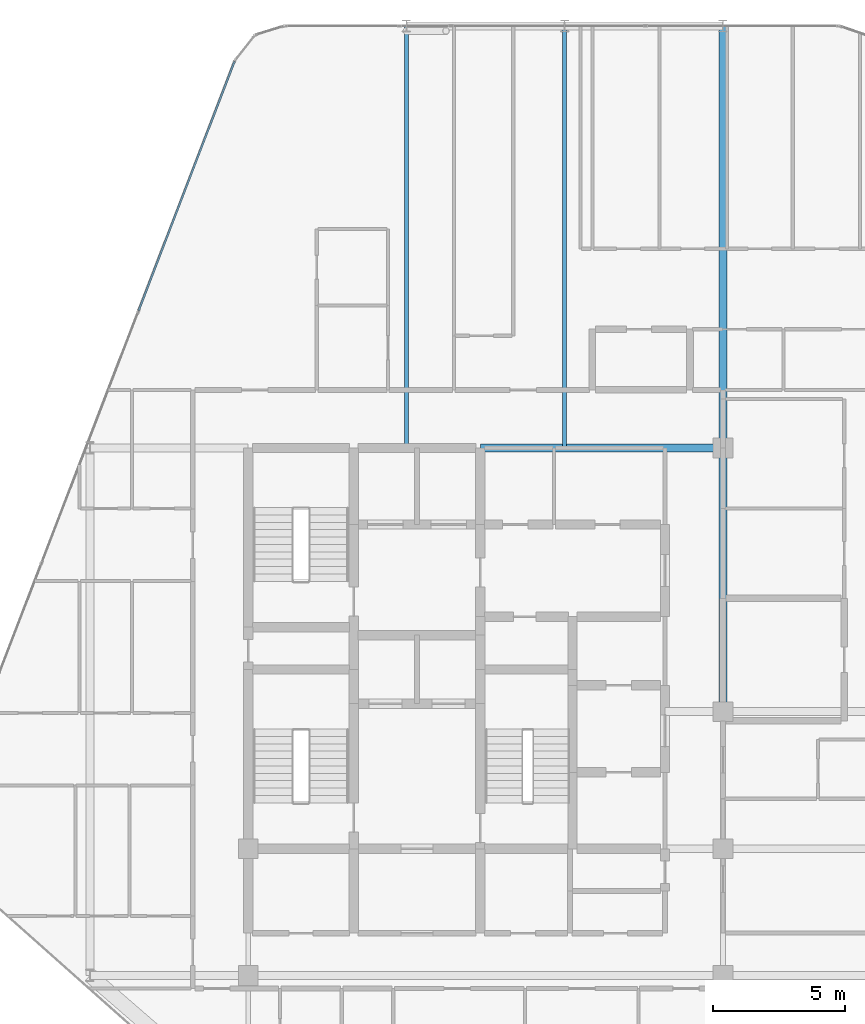
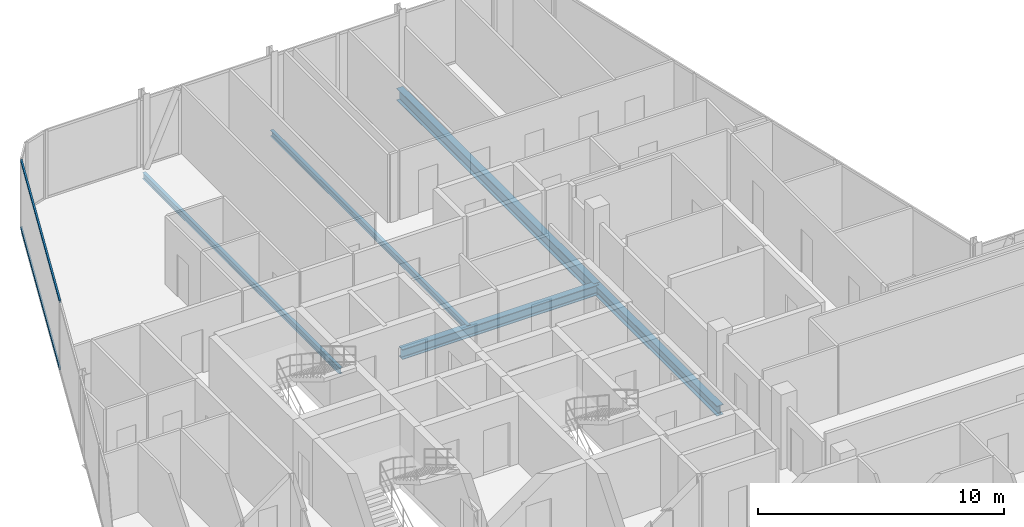
# One storey, part 17 of 29: 5 beams, 2 members, 1 element without a shape of its own.
"""IFC4 building model written with IfcOpenShell, lengths in metres."""

from ifc_helpers import new_model, si_unit, direction, frame, origin, origin_2d, place, context, subcontext, project, spatial, hollow_rectangle, i_section, extrude, material, layer, layer_set, material_profile, profile_set, type_object, element, aggregate, save


model = new_model("IFC4")

# Units and contexts
model_context = context("Model", 3, precision=1e-05, world=origin(), true_north=direction((0.0, 1.0)))
body_context = subcontext(model_context, "Body", "Model", "MODEL_VIEW")
ifc_project = project(units=[si_unit("LENGTHUNIT", "METRE"), si_unit("AREAUNIT", "SQUARE_METRE"), si_unit("VOLUMEUNIT", "CUBIC_METRE"), si_unit("PLANEANGLEUNIT", "RADIAN"), si_unit("MASSUNIT", "GRAM", prefix="KILO")], contexts=[model_context])

# Site, building, storey
site_placement = place(None, origin())
site = spatial("IfcSite", under=ifc_project, at=site_placement, CompositionType="ELEMENT")
building_placement = place(site_placement, origin())
building = spatial("IfcBuilding", under=site, at=building_placement, Name="Keshet Zoharim Tower", CompositionType="ELEMENT")
storey_placement = place(building_placement, frame((0.0, 0.0, 230.199951171875)))
storey = spatial("IfcBuildingStorey", under=building, at=storey_placement, Name="L57", CompositionType="ELEMENT", Elevation=230.199951171875)

# Beams
ifc_material_1 = material(Name="Steel S355", Category="steel")
ifc_material_profile_1 = material_profile(ifc_material_1, i_section(OverallWidth=0.14990234375, OverallDepth=0.300048828125, WebThickness=0.007080078125, FlangeThickness=0.0107421875, FilletRadius=0.014892578125, at=origin_2d()), Name="IPE300")
ifc_profile_set_1 = profile_set([ifc_material_profile_1], Name="Steel S355")
beam_type_1 = type_object("IfcBeamType", Name="BM-JST-IP300", PredefinedType="JOIST", material=ifc_profile_set_1)
for number, where, z_axis, x_axis, name in (
    (1, (21.0, 37.89990234375, -0.4599609375), (0.0, 1.0, 0.0), (-1.0, 0.0, 0.0), "L57 Secondary Floor Joist J-001"),
    (2, (27.0, 37.89990234375, -0.4599609375), (0.0, 1.0, 0.0), (-1.0, 0.0, 0.0), "L57 Secondary Floor Joist J-002"),
):
    element("IfcBeam", number, at=place(storey_placement, frame(where, z_axis=z_axis, x_axis=x_axis)), inside=storey, type_object=beam_type_1, Name=name, PredefinedType="JOIST", context=body_context, shape_type="SweptSolid", body=[
        extrude(i_section(OverallWidth=0.14990234375, OverallDepth=0.300048828125, WebThickness=0.007080078125, FlangeThickness=0.0107421875, FilletRadius=0.014892578125, at=origin_2d()), origin(), (0.0, 0.0, 1.0), 16.0),
    ])
ifc_material_profile_2 = material_profile(ifc_material_1, i_section(OverallWidth=0.300048828125, OverallDepth=0.60009765625, WebThickness=0.015380859375, FlangeThickness=0.030029296875, FilletRadius=0.027099609375, at=origin_2d()), Name="HEB600")
ifc_profile_set_2 = profile_set([ifc_material_profile_2], Name="Steel S355")
beam_type_2 = type_object("IfcBeamType", Name="BM-LNG-HB600", PredefinedType="BEAM", material=ifc_profile_set_2)
beam_1_placement = place(storey_placement, frame((33.0, 37.89990234375, -0.60986328125), z_axis=(0.0, 1.0, 0.0), x_axis=(-1.0, 0.0, 0.0)))
element("IfcBeam", 3, at=beam_1_placement, inside=storey, type_object=beam_type_2, Name="L57 Primary Girder Y-011", PredefinedType="BEAM", context=body_context, shape_type="SweptSolid", body=[
    extrude(i_section(OverallWidth=0.300048828125, OverallDepth=0.60009765625, WebThickness=0.015380859375, FlangeThickness=0.030029296875, FilletRadius=0.027099609375, at=origin_2d()), origin(), (0.0, 0.0, 1.0), 16.0),
])
ifc_material_profile_3 = material_profile(ifc_material_1, i_section(OverallWidth=0.300048828125, OverallDepth=0.5, WebThickness=0.014404296875, FlangeThickness=0.028076171875, FilletRadius=0.027099609375, at=origin_2d()), Name="HEB500")
ifc_profile_set_3 = profile_set([ifc_material_profile_3], Name="Steel S355")
beam_type_3 = type_object("IfcBeamType", Name="BM-MED-HB500", PredefinedType="BEAM", material=ifc_profile_set_3)
beam_2_placement = place(storey_placement, frame((23.800048828125, 37.89990234375, -0.56005859375), z_axis=(1.0, 0.0, 0.0), x_axis=(0.0, 1.0, 0.0)))
element("IfcBeam", 4, at=beam_2_placement, inside=storey, type_object=beam_type_3, Name="L57 Primary Girder X-018", PredefinedType="BEAM", context=body_context, shape_type="SweptSolid", body=[
    extrude(i_section(OverallWidth=0.300048828125, OverallDepth=0.5, WebThickness=0.014404296875, FlangeThickness=0.028076171875, FilletRadius=0.027099609375, at=origin_2d()), origin(), (0.0, 0.0, 1.0), 9.199951171875),
])
beam_3_placement = place(storey_placement, frame((33.0, 27.89990234375, -0.56005859375), z_axis=(0.0, 1.0, 0.0), x_axis=(-1.0, 0.0, 0.0)))
element("IfcBeam", 5, at=beam_3_placement, inside=storey, type_object=beam_type_3, Name="L57 Primary Girder Y-010", PredefinedType="BEAM", context=body_context, shape_type="SweptSolid", body=[
    extrude(i_section(OverallWidth=0.300048828125, OverallDepth=0.5, WebThickness=0.014404296875, FlangeThickness=0.028076171875, FilletRadius=0.027099609375, at=origin_2d()), origin(), (0.0, 0.0, 1.0), 10.0),
])

# Curtain wall, members
ifc_material_2 = material(Name="Aluminium 6063-T6", Category="aluminium")
ifc_layer = layer(ifc_material_2, 0.139892578125)
ifc_layer_set = layer_set([ifc_layer], Name="Aluminium 6063-T6")
curtain_wall_type = type_object("IfcCurtainWallType", Name="CW-SYS-05", PredefinedType="NOTDEFINED", material=ifc_layer_set)
curtain_wall_placement = place(storey_placement, origin())
curtain_wall = element("IfcCurtainWall", 6, at=curtain_wall_placement, inside=storey, type_object=curtain_wall_type, Name="L57 Unitised Curtain Wall 13", PredefinedType="NOTDEFINED")
ifc_material_profile_4 = material_profile(ifc_material_2, hollow_rectangle(XDim=0.074951171875, YDim=0.1201171875, WallThickness=0.00390625, at=origin_2d()), Name="TRN-75x120")
ifc_profile_set_4 = profile_set([ifc_material_profile_4], Name="Aluminium 6063-T6")
member_type = type_object("IfcMemberType", Name="CWT-T12", PredefinedType="USERDEFINED", material=ifc_profile_set_4)
member_1_placement = place(storey_placement, frame((10.849609375, 43.10888671875, 0.03515625), z_axis=(0.358985546764, 0.933343118694, 0.0), x_axis=(-0.933343118694, 0.358985546764, 0.0)))
member_1 = element("IfcMember", 7, at=member_1_placement, type_object=member_type, Name="CW-05 transom 3.1", ObjectType="TRANSOM", PredefinedType="USERDEFINED", context=body_context, shape_type="SweptSolid", body=[
    extrude(hollow_rectangle(XDim=0.074951171875, YDim=0.1201171875, WallThickness=0.00390625, at=origin_2d()), origin(), (0.0, 0.0, 1.0), 10.118408203125),
])
member_2_placement = place(storey_placement, frame((10.849609375, 43.10888671875, 3.35498046875), z_axis=(0.358985546764, 0.933343118694, 0.0), x_axis=(-0.933343118694, 0.358985546764, 0.0)))
member_2 = element("IfcMember", 8, at=member_2_placement, type_object=member_type, Name="CW-05 transom 3.2", ObjectType="TRANSOM", PredefinedType="USERDEFINED", context=body_context, shape_type="SweptSolid", body=[
    extrude(hollow_rectangle(XDim=0.074951171875, YDim=0.1201171875, WallThickness=0.00390625, at=origin_2d()), origin(), (0.0, 0.0, 1.0), 10.118408203125),
])
aggregate(curtain_wall, [member_1, member_2])

save(model, "model.ifc")
